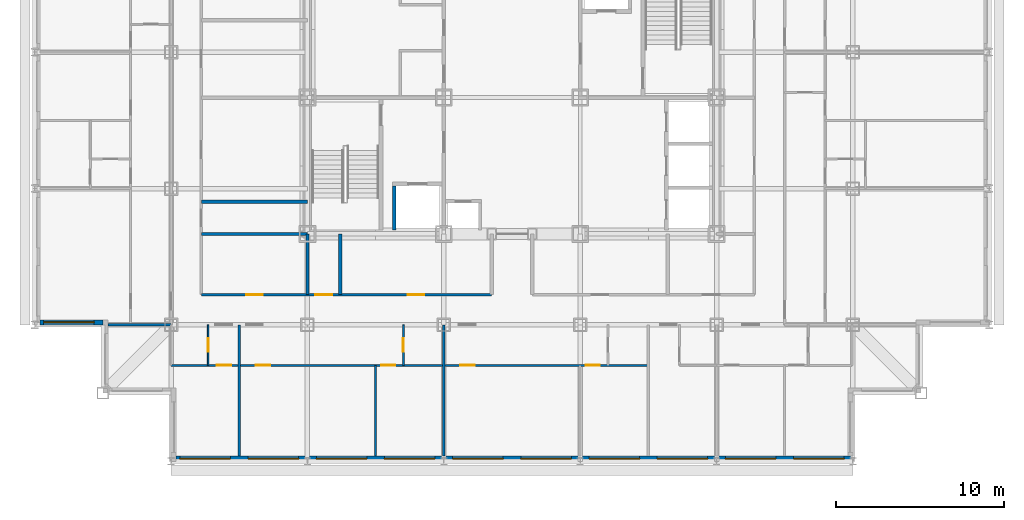
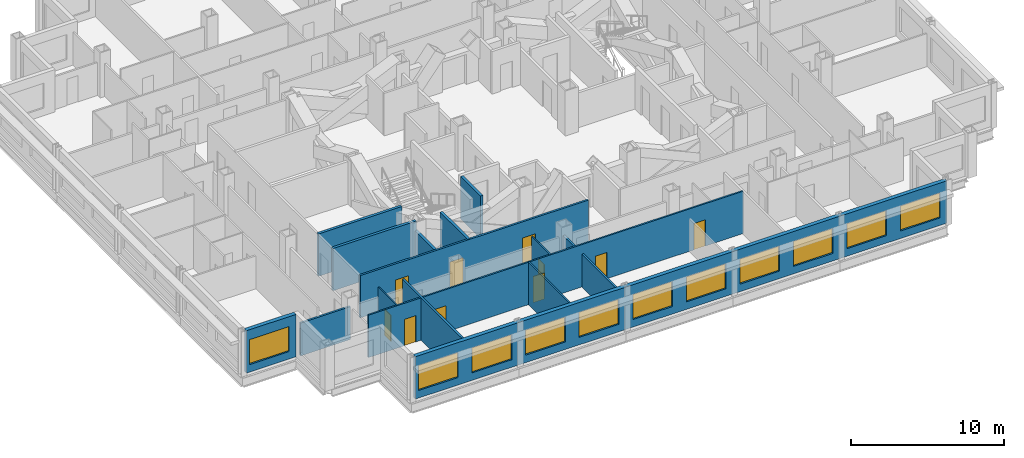
# One storey, part 4 of 12: 15 walls, 11 windows, 10 doors, 21 openings.
"""IFC4 building model written with IfcOpenShell, lengths in metres."""

from ifc_helpers import new_model, si_unit, direction, frame, frame_2d, origin, place, context, subcontext, project, spatial, rectangle, extrude, material, layer, layer_set, type_object, element, fill, save


model = new_model("IFC4")

# Units and contexts
model_context = context("Model", 3, precision=1e-05, world=origin(), true_north=direction((0.0, 1.0)))
body_context = subcontext(model_context, "Body", "Model", "MODEL_VIEW")
ifc_project = project(units=[si_unit("LENGTHUNIT", "METRE"), si_unit("AREAUNIT", "SQUARE_METRE"), si_unit("VOLUMEUNIT", "CUBIC_METRE"), si_unit("PLANEANGLEUNIT", "RADIAN"), si_unit("MASSUNIT", "GRAM", prefix="KILO")], contexts=[model_context])

# Site, building, storey
site_placement = place(None, origin())
site = spatial("IfcSite", under=ifc_project, at=site_placement, CompositionType="ELEMENT")
building_placement = place(site_placement, origin())
building = spatial("IfcBuilding", under=site, at=building_placement, Name="Kopane Lantern Tower", CompositionType="ELEMENT")
storey_placement = place(building_placement, frame((0.0, 0.0, 228.0)))
storey = spatial("IfcBuildingStorey", under=building, at=storey_placement, Name="L59", CompositionType="ELEMENT", Elevation=228.0)

# Wall
ifc_material_1 = material(Name="Gypsum board on steel studs", Category="steel")
ifc_layer_1 = layer(ifc_material_1, 0.1201171875)
ifc_layer_set_1 = layer_set([ifc_layer_1], Name="APARTMENT INTERNAL WALL 120")
wall_type_1 = type_object("IfcWallType", Name="APARTMENT INTERNAL WALL 120", PredefinedType="PARTITIONING", material=ifc_layer_set_1)
wall_1_placement = place(storey_placement, frame((20.25, 16.5, 0.0), z_axis=(0.0, 0.0, 1.0), x_axis=(0.0, -1.0, 0.0)))
element("IfcWall", 1, at=wall_1_placement, inside=storey, type_object=wall_type_1, Name="Apartment Internal Wall 120 L59", PredefinedType="PARTITIONING", context=body_context, shape_type="SweptSolid", body=[
    extrude(rectangle(XDim=5.39990234375, YDim=0.1201171875, at=frame_2d((2.699951171875, 0.0))), origin(), (0.0, 0.0, 1.0), 3.389892578125),
])

# Wall, openings, doors
wall_2_placement = place(storey_placement, frame((8.10009765625, 16.5, 0.0), z_axis=(0.0, 0.0, 1.0), x_axis=(1.0, 0.0, 0.0)))
wall_2 = element("IfcWall", 2, at=wall_2_placement, inside=storey, type_object=wall_type_1, Name="Apartment Internal Wall 120 L59", PredefinedType="PARTITIONING", context=body_context, shape_type="SweptSolid", body=[
    extrude(rectangle(XDim=28.349853515625, YDim=0.1201171875, at=frame_2d((14.1748046875, 0.0))), origin(), (0.0, 0.0, 1.0), 3.389892578125),
])
opening_1_placement = place(wall_2_placement, frame((5.02490234375, 0.0, 0.0)))
opening_1 = element("IfcOpeningElement", 3, at=opening_1_placement, cuts=wall_2, Name="Opening L59-014", PredefinedType="OPENING", context=body_context, shape_type="SweptSolid", body=[
    extrude(rectangle(XDim=0.85009765625, YDim=2.10009765625, at=frame_2d((0.425048828125, 1.050048828125))), frame((0.0, 0.070068359375, 0.0), z_axis=(0.0, -1.0, 0.0), x_axis=(1.0, 0.0, 0.0)), (0.0, 0.0, 1.0), 0.14013671875),
])
opening_2_placement = place(wall_2_placement, frame((12.47509765625, 0.0, 0.0)))
opening_2 = element("IfcOpeningElement", 4, at=opening_2_placement, cuts=wall_2, Name="Opening L59-015", PredefinedType="OPENING", context=body_context, shape_type="SweptSolid", body=[
    extrude(rectangle(XDim=0.85009765625, YDim=2.10009765625, at=frame_2d((0.425048828125, 1.050048828125))), frame((0.0, 0.070068359375, 0.0), z_axis=(0.0, -1.0, 0.0), x_axis=(1.0, 0.0, 0.0)), (0.0, 0.0, 1.0), 0.14013671875),
])
opening_3_placement = place(wall_2_placement, frame((17.175048828125, 0.0, 0.0)))
opening_3 = element("IfcOpeningElement", 5, at=opening_3_placement, cuts=wall_2, Name="Opening L59-018", PredefinedType="OPENING", context=body_context, shape_type="SweptSolid", body=[
    extrude(rectangle(XDim=0.85009765625, YDim=2.10009765625, at=frame_2d((0.425048828125, 1.050048828125))), frame((0.0, 0.070068359375, 0.0), z_axis=(0.0, -1.0, 0.0), x_axis=(1.0, 0.0, 0.0)), (0.0, 0.0, 1.0), 0.14013671875),
])
opening_4_placement = place(wall_2_placement, frame((24.625, 0.0, 0.0)))
opening_4 = element("IfcOpeningElement", 6, at=opening_4_placement, cuts=wall_2, Name="Opening L59-019", PredefinedType="OPENING", context=body_context, shape_type="SweptSolid", body=[
    extrude(rectangle(XDim=0.85009765625, YDim=2.10009765625, at=frame_2d((0.425048828125, 1.050048828125))), frame((0.0, 0.070068359375, 0.0), z_axis=(0.0, -1.0, 0.0), x_axis=(1.0, 0.0, 0.0)), (0.0, 0.0, 1.0), 0.14013671875),
])
opening_5_placement = place(wall_2_placement, frame((2.72509765625, 0.0, 0.0)))
opening_5 = element("IfcOpeningElement", 7, at=opening_5_placement, cuts=wall_2, Name="Opening L59-053", PredefinedType="OPENING", context=body_context, shape_type="SweptSolid", body=[
    extrude(rectangle(XDim=0.85009765625, YDim=2.10009765625, at=frame_2d((0.425048828125, 1.050048828125))), frame((0.0, 0.070068359375, 0.0), z_axis=(0.0, -1.0, 0.0), x_axis=(1.0, 0.0, 0.0)), (0.0, 0.0, 1.0), 0.14013671875),
])
ifc_material_2 = material(Name="Timber door set", Category="wood")
door_type_1 = type_object("IfcDoorType", Name="DOOR D4 850x2100", OperationType="SINGLE_SWING_LEFT", PredefinedType="DOOR", material=ifc_material_2)
door_1_placement = place(opening_1_placement, origin())
door_1 = element("IfcDoor", 8, at=door_1_placement, inside=storey, type_object=door_type_1, Name="Door L59-014", OperationType="SINGLE_SWING_LEFT", OverallHeight=2.10009765625, OverallWidth=0.85009765625, PredefinedType="DOOR", context=body_context, shape_type="SweptSolid", body=[
    extrude(rectangle(XDim=0.85009765625, YDim=2.10009765625, at=frame_2d((0.425048828125, 1.050048828125))), frame((0.0, 0.02490234375, 0.0), z_axis=(0.0, -1.0, 0.0), x_axis=(1.0, 0.0, 0.0)), (0.0, 0.0, 1.0), 0.050048828125),
])
fill(opening_1, door_1)
door_2_placement = place(opening_2_placement, origin())
door_2 = element("IfcDoor", 9, at=door_2_placement, inside=storey, type_object=door_type_1, Name="Door L59-015", OperationType="SINGLE_SWING_RIGHT", OverallHeight=2.10009765625, OverallWidth=0.85009765625, PredefinedType="DOOR", context=body_context, shape_type="SweptSolid", body=[
    extrude(rectangle(XDim=0.85009765625, YDim=2.10009765625, at=frame_2d((0.425048828125, 1.050048828125))), frame((0.0, 0.02490234375, 0.0), z_axis=(0.0, -1.0, 0.0), x_axis=(1.0, 0.0, 0.0)), (0.0, 0.0, 1.0), 0.050048828125),
])
fill(opening_2, door_2)
door_3_placement = place(opening_3_placement, origin())
door_3 = element("IfcDoor", 10, at=door_3_placement, inside=storey, type_object=door_type_1, Name="Door L59-018", OperationType="SINGLE_SWING_RIGHT", OverallHeight=2.10009765625, OverallWidth=0.85009765625, PredefinedType="DOOR", context=body_context, shape_type="SweptSolid", body=[
    extrude(rectangle(XDim=0.85009765625, YDim=2.10009765625, at=frame_2d((0.425048828125, 1.050048828125))), frame((0.0, 0.02490234375, 0.0), z_axis=(0.0, -1.0, 0.0), x_axis=(1.0, 0.0, 0.0)), (0.0, 0.0, 1.0), 0.050048828125),
])
fill(opening_3, door_3)
door_4_placement = place(opening_4_placement, origin())
door_4 = element("IfcDoor", 11, at=door_4_placement, inside=storey, type_object=door_type_1, Name="Door L59-019", OperationType="SINGLE_SWING_RIGHT", OverallHeight=2.10009765625, OverallWidth=0.85009765625, PredefinedType="DOOR", context=body_context, shape_type="SweptSolid", body=[
    extrude(rectangle(XDim=0.85009765625, YDim=2.10009765625, at=frame_2d((0.425048828125, 1.050048828125))), frame((0.0, 0.02490234375, 0.0), z_axis=(0.0, -1.0, 0.0), x_axis=(1.0, 0.0, 0.0)), (0.0, 0.0, 1.0), 0.050048828125),
])
fill(opening_4, door_4)
door_5_placement = place(opening_5_placement, origin())
door_5 = element("IfcDoor", 12, at=door_5_placement, inside=storey, type_object=door_type_1, Name="Door L59-053", OperationType="SINGLE_SWING_LEFT", OverallHeight=2.10009765625, OverallWidth=0.85009765625, PredefinedType="DOOR", context=body_context, shape_type="SweptSolid", body=[
    extrude(rectangle(XDim=0.85009765625, YDim=2.10009765625, at=frame_2d((0.425048828125, 1.050048828125))), frame((0.0, 0.02490234375, 0.0), z_axis=(0.0, -1.0, 0.0), x_axis=(1.0, 0.0, 0.0)), (0.0, 0.0, 1.0), 0.050048828125),
])
fill(opening_5, door_5)

# Wall, opening, door
ifc_material_3 = material(Name="Moisture-resistant board on steel studs", Category="steel")
ifc_layer_2 = layer(ifc_material_3, 0.10009765625)
ifc_layer_set_2 = layer_set([ifc_layer_2], Name="BATHROOM WALL 100")
wall_type_2 = type_object("IfcWallType", Name="BATHROOM WALL 100", PredefinedType="PARTITIONING", material=ifc_layer_set_2)
wall_3_placement = place(storey_placement, frame((21.89990234375, 18.89990234375, 0.0), z_axis=(0.0, 0.0, 1.0), x_axis=(0.0, -1.0, 0.0)))
wall_3 = element("IfcWall", 13, at=wall_3_placement, inside=storey, type_object=wall_type_2, Name="Bathroom Wall 100 L59", PredefinedType="PARTITIONING", context=body_context, shape_type="SweptSolid", body=[
    extrude(rectangle(XDim=2.39990234375, YDim=0.10009765625, at=frame_2d((1.199951171875, 0.0))), origin(), (0.0, 0.0, 1.0), 3.389892578125),
])
opening_6_placement = place(wall_3_placement, frame((0.800048828125, 0.0, 0.0)))
opening_6 = element("IfcOpeningElement", 14, at=opening_6_placement, cuts=wall_3, Name="Opening L59-012", PredefinedType="OPENING", context=body_context, shape_type="SweptSolid", body=[
    extrude(rectangle(XDim=0.800048828125, YDim=2.10009765625, at=frame_2d((0.39990234375, 1.050048828125))), frame((0.0, 0.06005859375, 0.0), z_axis=(0.0, -1.0, 0.0), x_axis=(1.0, 0.0, 0.0)), (0.0, 0.0, 1.0), 0.1201171875),
])
ifc_material_4 = material(Name="Timber door set", Category="wood")
door_type_2 = type_object("IfcDoorType", Name="DOOR D2 800x2100", OperationType="SINGLE_SWING_LEFT", PredefinedType="DOOR", material=ifc_material_4)
door_6_placement = place(opening_6_placement, origin())
door_6 = element("IfcDoor", 15, at=door_6_placement, inside=storey, type_object=door_type_2, Name="Door L59-012", OperationType="SINGLE_SWING_LEFT", OverallHeight=2.10009765625, OverallWidth=0.800048828125, PredefinedType="DOOR", context=body_context, shape_type="SweptSolid", body=[
    extrude(rectangle(XDim=0.800048828125, YDim=2.10009765625, at=frame_2d((0.39990234375, 1.050048828125))), frame((0.0, 0.02490234375, 0.0), z_axis=(0.0, -1.0, 0.0), x_axis=(1.0, 0.0, 0.0)), (0.0, 0.0, 1.0), 0.050048828125),
])
fill(opening_6, door_6)

wall_4_placement = place(storey_placement, frame((10.300048828125, 18.89990234375, 0.0), z_axis=(0.0, 0.0, 1.0), x_axis=(0.0, -1.0, 0.0)))
wall_4 = element("IfcWall", 16, at=wall_4_placement, inside=storey, type_object=wall_type_2, Name="Bathroom Wall 100 L59", PredefinedType="PARTITIONING", context=body_context, shape_type="SweptSolid", body=[
    extrude(rectangle(XDim=2.39990234375, YDim=0.10009765625, at=frame_2d((1.199951171875, 0.0))), origin(), (0.0, 0.0, 1.0), 3.389892578125),
])
opening_7_placement = place(wall_4_placement, frame((0.800048828125, 0.0, 0.0)))
opening_7 = element("IfcOpeningElement", 17, at=opening_7_placement, cuts=wall_4, Name="Opening L59-051", PredefinedType="OPENING", context=body_context, shape_type="SweptSolid", body=[
    extrude(rectangle(XDim=0.800048828125, YDim=2.10009765625, at=frame_2d((0.39990234375, 1.050048828125))), frame((0.0, 0.06005859375, 0.0), z_axis=(0.0, -1.0, 0.0), x_axis=(1.0, 0.0, 0.0)), (0.0, 0.0, 1.0), 0.1201171875),
])
door_7_placement = place(opening_7_placement, origin())
door_7 = element("IfcDoor", 18, at=door_7_placement, inside=storey, type_object=door_type_2, Name="Door L59-051", OperationType="SINGLE_SWING_RIGHT", OverallHeight=2.10009765625, OverallWidth=0.800048828125, PredefinedType="DOOR", context=body_context, shape_type="SweptSolid", body=[
    extrude(rectangle(XDim=0.800048828125, YDim=2.10009765625, at=frame_2d((0.39990234375, 1.050048828125))), frame((0.0, 0.02490234375, 0.0), z_axis=(0.0, -1.0, 0.0), x_axis=(1.0, 0.0, 0.0)), (0.0, 0.0, 1.0), 0.050048828125),
])
fill(opening_7, door_7)

# Wall, openings, doors
ifc_material_5 = material(Name="Gypsum board on steel studs", Category="steel")
ifc_layer_3 = layer(ifc_material_5, 0.14990234375)
ifc_layer_set_3 = layer_set([ifc_layer_3], Name="CORRIDOR WALL 150 EI 60")
wall_type_3 = type_object("IfcWallType", Name="CORRIDOR WALL 150 EI 60", PredefinedType="PARTITIONING", material=ifc_layer_set_3)
wall_5_placement = place(storey_placement, frame((9.89990234375, 20.699951171875, 0.0), z_axis=(0.0, 0.0, 1.0), x_axis=(1.0, 0.0, 0.0)))
wall_5 = element("IfcWall", 19, at=wall_5_placement, inside=storey, type_object=wall_type_3, Name="Corridor Wall 150 Ei 60 L59", PredefinedType="PARTITIONING", context=body_context, shape_type="SweptSolid", body=[
    extrude(rectangle(XDim=17.239990234375, YDim=0.14990234375, at=frame_2d((8.6201171875, 0.0))), origin(), (0.0, 0.0, 1.0), 3.389892578125),
])
opening_8_placement = place(wall_5_placement, frame((2.64990234375, 0.0, 0.0)))
opening_8 = element("IfcOpeningElement", 20, at=opening_8_placement, cuts=wall_5, Name="Opening L59-007", PredefinedType="OPENING", context=body_context, shape_type="SweptSolid", body=[
    extrude(rectangle(XDim=1.0, YDim=2.10009765625, at=frame_2d((0.5, 1.050048828125))), frame((0.0, 0.0849609375, 0.0), z_axis=(0.0, -1.0, 0.0), x_axis=(1.0, 0.0, 0.0)), (0.0, 0.0, 1.0), 0.169921875),
])
opening_9_placement = place(wall_5_placement, frame((6.772216796875, 0.0, 0.0)))
opening_9 = element("IfcOpeningElement", 21, at=opening_9_placement, cuts=wall_5, Name="Opening L59-008", PredefinedType="OPENING", context=body_context, shape_type="SweptSolid", body=[
    extrude(rectangle(XDim=1.0, YDim=2.10009765625, at=frame_2d((0.5, 1.050048828125))), frame((0.0, 0.0849609375, 0.0), z_axis=(0.0, -1.0, 0.0), x_axis=(1.0, 0.0, 0.0)), (0.0, 0.0, 1.0), 0.169921875),
])
opening_10_placement = place(wall_5_placement, frame((12.247314453125, 0.0, 0.0)))
opening_10 = element("IfcOpeningElement", 22, at=opening_10_placement, cuts=wall_5, Name="Opening L59-009", PredefinedType="OPENING", context=body_context, shape_type="SweptSolid", body=[
    extrude(rectangle(XDim=1.0, YDim=2.10009765625, at=frame_2d((0.5, 1.050048828125))), frame((0.0, 0.0849609375, 0.0), z_axis=(0.0, -1.0, 0.0), x_axis=(1.0, 0.0, 0.0)), (0.0, 0.0, 1.0), 0.169921875),
])
ifc_material_6 = material(Name="Steel door set", Category="steel")
door_type_3 = type_object("IfcDoorType", Name="DOOR D5 1000x2100 FD60", OperationType="SINGLE_SWING_LEFT", PredefinedType="DOOR", material=ifc_material_6)
door_8_placement = place(opening_8_placement, origin())
door_8 = element("IfcDoor", 23, at=door_8_placement, inside=storey, type_object=door_type_3, Name="Door L59-007", OperationType="SINGLE_SWING_LEFT", OverallHeight=2.10009765625, OverallWidth=1.0, PredefinedType="DOOR", context=body_context, shape_type="SweptSolid", body=[
    extrude(rectangle(XDim=1.0, YDim=2.10009765625, at=frame_2d((0.5, 1.050048828125))), frame((0.0, 0.02490234375, 0.0), z_axis=(0.0, -1.0, 0.0), x_axis=(1.0, 0.0, 0.0)), (0.0, 0.0, 1.0), 0.050048828125),
])
fill(opening_8, door_8)
door_9_placement = place(opening_9_placement, origin())
door_9 = element("IfcDoor", 24, at=door_9_placement, inside=storey, type_object=door_type_3, Name="Door L59-008", OperationType="SINGLE_SWING_RIGHT", OverallHeight=2.10009765625, OverallWidth=1.0, PredefinedType="DOOR", context=body_context, shape_type="SweptSolid", body=[
    extrude(rectangle(XDim=1.0, YDim=2.10009765625, at=frame_2d((0.5, 1.050048828125))), frame((0.0, 0.02490234375, 0.0), z_axis=(0.0, -1.0, 0.0), x_axis=(1.0, 0.0, 0.0)), (0.0, 0.0, 1.0), 0.050048828125),
])
fill(opening_9, door_9)
door_10_placement = place(opening_10_placement, origin())
door_10 = element("IfcDoor", 25, at=door_10_placement, inside=storey, type_object=door_type_3, Name="Door L59-009", OperationType="SINGLE_SWING_LEFT", OverallHeight=2.10009765625, OverallWidth=1.0, PredefinedType="DOOR", context=body_context, shape_type="SweptSolid", body=[
    extrude(rectangle(XDim=1.0, YDim=2.10009765625, at=frame_2d((0.5, 1.050048828125))), frame((0.0, 0.02490234375, 0.0), z_axis=(0.0, -1.0, 0.0), x_axis=(1.0, 0.0, 0.0)), (0.0, 0.0, 1.0), 0.050048828125),
])
fill(opening_10, door_10)

# Walls
ifc_material_7 = material(Name="Gypsum board on steel studs", Category="steel")
ifc_layer_4 = layer(ifc_material_7, 0.14990234375)
ifc_layer_set_4 = layer_set([ifc_layer_4], Name="DEMISING WALL 150 EI 60")
wall_type_4 = type_object("IfcWallType", Name="DEMISING WALL 150 EI 60", PredefinedType="PARTITIONING", material=ifc_layer_set_4)
wall_6_placement = place(storey_placement, frame((24.300048828125, 18.89990234375, 0.0), z_axis=(0.0, 0.0, 1.0), x_axis=(0.0, -1.0, 0.0)))
element("IfcWall", 26, at=wall_6_placement, inside=storey, type_object=wall_type_4, Name="Demising Wall 150 Ei 60 L59", PredefinedType="PARTITIONING", context=body_context, shape_type="SweptSolid", body=[
    extrude(rectangle(XDim=7.7998046875, YDim=0.14990234375, at=frame_2d((3.89990234375, 0.0))), origin(), (0.0, 0.0, 1.0), 2.627685546875),
])
wall_7_placement = place(storey_placement, frame((4.35009765625, 18.89990234375, 0.0), z_axis=(0.0, 0.0, 1.0), x_axis=(1.0, 0.0, 0.0)))
element("IfcWall", 27, at=wall_7_placement, inside=storey, type_object=wall_type_4, Name="Demising Wall 150 Ei 60 L59", PredefinedType="PARTITIONING", context=body_context, shape_type="SweptSolid", body=[
    extrude(rectangle(XDim=3.75, YDim=0.14990234375, at=frame_2d((1.875, 0.0))), origin(), (0.0, 0.0, 1.0), 2.627685546875),
])
wall_8_placement = place(storey_placement, frame((12.14990234375, 18.89990234375, 0.0), z_axis=(0.0, 0.0, 1.0), x_axis=(0.0, -1.0, 0.0)))
element("IfcWall", 28, at=wall_8_placement, inside=storey, type_object=wall_type_4, Name="Demising Wall 150 Ei 60 L59", PredefinedType="PARTITIONING", context=body_context, shape_type="SweptSolid", body=[
    extrude(rectangle(XDim=7.7998046875, YDim=0.14990234375, at=frame_2d((3.89990234375, 0.0))), origin(), (0.0, 0.0, 1.0), 3.389892578125),
])

# Wall, openings, windows
ifc_material_8 = material(Name="Terracotta rainscreen on light steel framing", Category="masonry")
ifc_layer_5 = layer(ifc_material_8, 0.300048828125)
ifc_layer_set_5 = layer_set([ifc_layer_5], Name="EXTERNAL WALL EW1 300 TERRACOTTA")
wall_type_5 = type_object("IfcWallType", Name="EXTERNAL WALL EW1 300 TERRACOTTA", PredefinedType="SOLIDWALL", material=ifc_layer_set_5)
wall_9_placement = place(storey_placement, frame((8.39990234375, 10.949951171875, 0.0), z_axis=(0.0, 0.0, 1.0), x_axis=(1.0, 0.0, 0.0)))
wall_9 = element("IfcWall", 29, at=wall_9_placement, inside=storey, type_object=wall_type_5, Name="External wall S L59", PredefinedType="SOLIDWALL", context=body_context, shape_type="SweptSolid", body=[
    extrude(rectangle(XDim=40.2001953125, YDim=0.300048828125, at=frame_2d((20.10009765625, 0.0))), origin(), (0.0, 0.0, 1.0), 3.389892578125),
])
opening_11_placement = place(wall_9_placement, frame((0.22509765625, 0.0, 0.60009765625)))
opening_11 = element("IfcOpeningElement", 30, at=opening_11_placement, cuts=wall_9, Name="Opening WR300200", PredefinedType="OPENING", context=body_context, shape_type="SweptSolid", body=[
    extrude(rectangle(XDim=3.0, YDim=2.0, at=frame_2d((1.5, 1.0))), frame((0.0, 0.159912109375, 0.0), z_axis=(0.0, -1.0, 0.0), x_axis=(1.0, 0.0, 0.0)), (0.0, 0.0, 1.0), 0.320068359375),
])
opening_12_placement = place(wall_9_placement, frame((4.27490234375, 0.0, 0.60009765625)))
opening_12 = element("IfcOpeningElement", 31, at=opening_12_placement, cuts=wall_9, Name="Opening WR300200", PredefinedType="OPENING", context=body_context, shape_type="SweptSolid", body=[
    extrude(rectangle(XDim=3.0, YDim=2.0, at=frame_2d((1.5, 1.0))), frame((0.0, 0.159912109375, 0.0), z_axis=(0.0, -1.0, 0.0), x_axis=(1.0, 0.0, 0.0)), (0.0, 0.0, 1.0), 0.320068359375),
])
opening_13_placement = place(wall_9_placement, frame((8.324951171875, 0.0, 0.60009765625)))
opening_13 = element("IfcOpeningElement", 32, at=opening_13_placement, cuts=wall_9, Name="Opening WR300200", PredefinedType="OPENING", context=body_context, shape_type="SweptSolid", body=[
    extrude(rectangle(XDim=3.0, YDim=2.0, at=frame_2d((1.5, 1.0))), frame((0.0, 0.159912109375, 0.0), z_axis=(0.0, -1.0, 0.0), x_axis=(1.0, 0.0, 0.0)), (0.0, 0.0, 1.0), 0.320068359375),
])
opening_14_placement = place(wall_9_placement, frame((12.375, 0.0, 0.60009765625)))
opening_14 = element("IfcOpeningElement", 33, at=opening_14_placement, cuts=wall_9, Name="Opening WR300200", PredefinedType="OPENING", context=body_context, shape_type="SweptSolid", body=[
    extrude(rectangle(XDim=3.0, YDim=2.0, at=frame_2d((1.5, 1.0))), frame((0.0, 0.159912109375, 0.0), z_axis=(0.0, -1.0, 0.0), x_axis=(1.0, 0.0, 0.0)), (0.0, 0.0, 1.0), 0.320068359375),
])
opening_15_placement = place(wall_9_placement, frame((16.425048828125, 0.0, 0.60009765625)))
opening_15 = element("IfcOpeningElement", 34, at=opening_15_placement, cuts=wall_9, Name="Opening WR300200", PredefinedType="OPENING", context=body_context, shape_type="SweptSolid", body=[
    extrude(rectangle(XDim=3.0, YDim=2.0, at=frame_2d((1.5, 1.0))), frame((0.0, 0.159912109375, 0.0), z_axis=(0.0, -1.0, 0.0), x_axis=(1.0, 0.0, 0.0)), (0.0, 0.0, 1.0), 0.320068359375),
])
opening_16_placement = place(wall_9_placement, frame((20.47509765625, 0.0, 0.60009765625)))
opening_16 = element("IfcOpeningElement", 35, at=opening_16_placement, cuts=wall_9, Name="Opening WR300200", PredefinedType="OPENING", context=body_context, shape_type="SweptSolid", body=[
    extrude(rectangle(XDim=3.0, YDim=2.0, at=frame_2d((1.5, 1.0))), frame((0.0, 0.159912109375, 0.0), z_axis=(0.0, -1.0, 0.0), x_axis=(1.0, 0.0, 0.0)), (0.0, 0.0, 1.0), 0.320068359375),
])
opening_17_placement = place(wall_9_placement, frame((24.52490234375, 0.0, 0.60009765625)))
opening_17 = element("IfcOpeningElement", 36, at=opening_17_placement, cuts=wall_9, Name="Opening WR300200", PredefinedType="OPENING", context=body_context, shape_type="SweptSolid", body=[
    extrude(rectangle(XDim=3.0, YDim=2.0, at=frame_2d((1.5, 1.0))), frame((0.0, 0.159912109375, 0.0), z_axis=(0.0, -1.0, 0.0), x_axis=(1.0, 0.0, 0.0)), (0.0, 0.0, 1.0), 0.320068359375),
])
opening_18_placement = place(wall_9_placement, frame((28.574951171875, 0.0, 0.60009765625)))
opening_18 = element("IfcOpeningElement", 37, at=opening_18_placement, cuts=wall_9, Name="Opening WR300200", PredefinedType="OPENING", context=body_context, shape_type="SweptSolid", body=[
    extrude(rectangle(XDim=3.0, YDim=2.0, at=frame_2d((1.5, 1.0))), frame((0.0, 0.159912109375, 0.0), z_axis=(0.0, -1.0, 0.0), x_axis=(1.0, 0.0, 0.0)), (0.0, 0.0, 1.0), 0.320068359375),
])
opening_19_placement = place(wall_9_placement, frame((32.625, 0.0, 0.60009765625)))
opening_19 = element("IfcOpeningElement", 38, at=opening_19_placement, cuts=wall_9, Name="Opening WR300200", PredefinedType="OPENING", context=body_context, shape_type="SweptSolid", body=[
    extrude(rectangle(XDim=3.0, YDim=2.0, at=frame_2d((1.5, 1.0))), frame((0.0, 0.159912109375, 0.0), z_axis=(0.0, -1.0, 0.0), x_axis=(1.0, 0.0, 0.0)), (0.0, 0.0, 1.0), 0.320068359375),
])
opening_20_placement = place(wall_9_placement, frame((36.675048828125, 0.0, 0.60009765625)))
opening_20 = element("IfcOpeningElement", 39, at=opening_20_placement, cuts=wall_9, Name="Opening WR300200", PredefinedType="OPENING", context=body_context, shape_type="SweptSolid", body=[
    extrude(rectangle(XDim=3.0, YDim=2.0, at=frame_2d((1.5, 1.0))), frame((0.0, 0.159912109375, 0.0), z_axis=(0.0, -1.0, 0.0), x_axis=(1.0, 0.0, 0.0)), (0.0, 0.0, 1.0), 0.320068359375),
])
ifc_material_9 = material(Name="Aluminium and clear glass", Category="aluminium")
window_type = type_object("IfcWindowType", Name="RIBBON WINDOW WR300200 3000x2000", PartitioningType="SINGLE_PANEL", PredefinedType="WINDOW", material=ifc_material_9)
window_1_placement = place(opening_11_placement, origin())
window_1 = element("IfcWindow", 40, at=window_1_placement, inside=storey, type_object=window_type, Name="Window S L59", OverallHeight=2.0, OverallWidth=3.0, PartitioningType="SINGLE_PANEL", PredefinedType="WINDOW", context=body_context, shape_type="SweptSolid", body=[
    extrude(rectangle(XDim=3.0, YDim=2.0, at=frame_2d((1.5, 1.0))), frame((0.0, 0.030029296875, 0.0), z_axis=(0.0, -1.0, 0.0), x_axis=(1.0, 0.0, 0.0)), (0.0, 0.0, 1.0), 0.06005859375),
])
fill(opening_11, window_1)
window_2_placement = place(opening_12_placement, origin())
window_2 = element("IfcWindow", 41, at=window_2_placement, inside=storey, type_object=window_type, Name="Window S L59", OverallHeight=2.0, OverallWidth=3.0, PartitioningType="SINGLE_PANEL", PredefinedType="WINDOW", context=body_context, shape_type="SweptSolid", body=[
    extrude(rectangle(XDim=3.0, YDim=2.0, at=frame_2d((1.5, 1.0))), frame((0.0, 0.030029296875, 0.0), z_axis=(0.0, -1.0, 0.0), x_axis=(1.0, 0.0, 0.0)), (0.0, 0.0, 1.0), 0.06005859375),
])
fill(opening_12, window_2)
window_3_placement = place(opening_13_placement, origin())
window_3 = element("IfcWindow", 42, at=window_3_placement, inside=storey, type_object=window_type, Name="Window S L59", OverallHeight=2.0, OverallWidth=3.0, PartitioningType="SINGLE_PANEL", PredefinedType="WINDOW", context=body_context, shape_type="SweptSolid", body=[
    extrude(rectangle(XDim=3.0, YDim=2.0, at=frame_2d((1.5, 1.0))), frame((0.0, 0.030029296875, 0.0), z_axis=(0.0, -1.0, 0.0), x_axis=(1.0, 0.0, 0.0)), (0.0, 0.0, 1.0), 0.06005859375),
])
fill(opening_13, window_3)
window_4_placement = place(opening_14_placement, origin())
window_4 = element("IfcWindow", 43, at=window_4_placement, inside=storey, type_object=window_type, Name="Window S L59", OverallHeight=2.0, OverallWidth=3.0, PartitioningType="SINGLE_PANEL", PredefinedType="WINDOW", context=body_context, shape_type="SweptSolid", body=[
    extrude(rectangle(XDim=3.0, YDim=2.0, at=frame_2d((1.5, 1.0))), frame((0.0, 0.030029296875, 0.0), z_axis=(0.0, -1.0, 0.0), x_axis=(1.0, 0.0, 0.0)), (0.0, 0.0, 1.0), 0.06005859375),
])
fill(opening_14, window_4)
window_5_placement = place(opening_15_placement, origin())
window_5 = element("IfcWindow", 44, at=window_5_placement, inside=storey, type_object=window_type, Name="Window S L59", OverallHeight=2.0, OverallWidth=3.0, PartitioningType="SINGLE_PANEL", PredefinedType="WINDOW", context=body_context, shape_type="SweptSolid", body=[
    extrude(rectangle(XDim=3.0, YDim=2.0, at=frame_2d((1.5, 1.0))), frame((0.0, 0.030029296875, 0.0), z_axis=(0.0, -1.0, 0.0), x_axis=(1.0, 0.0, 0.0)), (0.0, 0.0, 1.0), 0.06005859375),
])
fill(opening_15, window_5)
window_6_placement = place(opening_16_placement, origin())
window_6 = element("IfcWindow", 45, at=window_6_placement, inside=storey, type_object=window_type, Name="Window S L59", OverallHeight=2.0, OverallWidth=3.0, PartitioningType="SINGLE_PANEL", PredefinedType="WINDOW", context=body_context, shape_type="SweptSolid", body=[
    extrude(rectangle(XDim=3.0, YDim=2.0, at=frame_2d((1.5, 1.0))), frame((0.0, 0.030029296875, 0.0), z_axis=(0.0, -1.0, 0.0), x_axis=(1.0, 0.0, 0.0)), (0.0, 0.0, 1.0), 0.06005859375),
])
fill(opening_16, window_6)
window_7_placement = place(opening_17_placement, origin())
window_7 = element("IfcWindow", 46, at=window_7_placement, inside=storey, type_object=window_type, Name="Window S L59", OverallHeight=2.0, OverallWidth=3.0, PartitioningType="SINGLE_PANEL", PredefinedType="WINDOW", context=body_context, shape_type="SweptSolid", body=[
    extrude(rectangle(XDim=3.0, YDim=2.0, at=frame_2d((1.5, 1.0))), frame((0.0, 0.030029296875, 0.0), z_axis=(0.0, -1.0, 0.0), x_axis=(1.0, 0.0, 0.0)), (0.0, 0.0, 1.0), 0.06005859375),
])
fill(opening_17, window_7)
window_8_placement = place(opening_18_placement, origin())
window_8 = element("IfcWindow", 47, at=window_8_placement, inside=storey, type_object=window_type, Name="Window S L59", OverallHeight=2.0, OverallWidth=3.0, PartitioningType="SINGLE_PANEL", PredefinedType="WINDOW", context=body_context, shape_type="SweptSolid", body=[
    extrude(rectangle(XDim=3.0, YDim=2.0, at=frame_2d((1.5, 1.0))), frame((0.0, 0.030029296875, 0.0), z_axis=(0.0, -1.0, 0.0), x_axis=(1.0, 0.0, 0.0)), (0.0, 0.0, 1.0), 0.06005859375),
])
fill(opening_18, window_8)
window_9_placement = place(opening_19_placement, origin())
window_9 = element("IfcWindow", 48, at=window_9_placement, inside=storey, type_object=window_type, Name="Window S L59", OverallHeight=2.0, OverallWidth=3.0, PartitioningType="SINGLE_PANEL", PredefinedType="WINDOW", context=body_context, shape_type="SweptSolid", body=[
    extrude(rectangle(XDim=3.0, YDim=2.0, at=frame_2d((1.5, 1.0))), frame((0.0, 0.030029296875, 0.0), z_axis=(0.0, -1.0, 0.0), x_axis=(1.0, 0.0, 0.0)), (0.0, 0.0, 1.0), 0.06005859375),
])
fill(opening_19, window_9)
window_10_placement = place(opening_20_placement, origin())
window_10 = element("IfcWindow", 49, at=window_10_placement, inside=storey, type_object=window_type, Name="Window S L59", OverallHeight=2.0, OverallWidth=3.0, PartitioningType="SINGLE_PANEL", PredefinedType="WINDOW", context=body_context, shape_type="SweptSolid", body=[
    extrude(rectangle(XDim=3.0, YDim=2.0, at=frame_2d((1.5, 1.0))), frame((0.0, 0.030029296875, 0.0), z_axis=(0.0, -1.0, 0.0), x_axis=(1.0, 0.0, 0.0)), (0.0, 0.0, 1.0), 0.06005859375),
])
fill(opening_20, window_10)

# Wall, opening, window
wall_10_placement = place(storey_placement, frame((0.300048828125, 19.050048828125, 0.0), z_axis=(0.0, 0.0, 1.0), x_axis=(1.0, 0.0, 0.0)))
wall_10 = element("IfcWall", 50, at=wall_10_placement, inside=storey, type_object=wall_type_5, Name="External wall S L59", PredefinedType="SOLIDWALL", context=body_context, shape_type="SweptSolid", body=[
    extrude(rectangle(XDim=3.75, YDim=0.300048828125, at=frame_2d((1.875, 0.0))), origin(), (0.0, 0.0, 1.0), 3.389892578125),
])
opening_21_placement = place(wall_10_placement, frame((0.22509765625, 0.0, 0.60009765625)))
opening_21 = element("IfcOpeningElement", 51, at=opening_21_placement, cuts=wall_10, Name="Opening WR300200", PredefinedType="OPENING", context=body_context, shape_type="SweptSolid", body=[
    extrude(rectangle(XDim=3.0, YDim=2.0, at=frame_2d((1.5, 1.0))), frame((0.0, 0.159912109375, 0.0), z_axis=(0.0, -1.0, 0.0), x_axis=(1.0, 0.0, 0.0)), (0.0, 0.0, 1.0), 0.320068359375),
])
window_11_placement = place(opening_21_placement, origin())
window_11 = element("IfcWindow", 52, at=window_11_placement, inside=storey, type_object=window_type, Name="Window S L59", OverallHeight=2.0, OverallWidth=3.0, PartitioningType="SINGLE_PANEL", PredefinedType="WINDOW", context=body_context, shape_type="SweptSolid", body=[
    extrude(rectangle(XDim=3.0, YDim=2.0, at=frame_2d((1.5, 1.0))), frame((0.0, 0.030029296875, 0.0), z_axis=(0.0, -1.0, 0.0), x_axis=(1.0, 0.0, 0.0)), (0.0, 0.0, 1.0), 0.06005859375),
])
fill(opening_21, window_11)

# Walls
ifc_material_10 = material(Name="Concrete masonry", Category="masonry")
ifc_layer_6 = layer(ifc_material_10, 0.199951171875)
ifc_layer_set_6 = layer_set([ifc_layer_6], Name="PLANT ROOM WALL 200 EI 120")
wall_type_6 = type_object("IfcWallType", Name="PLANT ROOM WALL 200 EI 120", PredefinedType="SOLIDWALL", material=ifc_layer_set_6)
wall_11_placement = place(storey_placement, frame((9.89990234375, 26.204833984375, 0.0), z_axis=(0.0, 0.0, 1.0), x_axis=(1.0, 0.0, 0.0)))
element("IfcWall", 53, at=wall_11_placement, inside=storey, type_object=wall_type_6, Name="Plant Room Wall 200 Ei 120 L59", PredefinedType="SOLIDWALL", context=body_context, shape_type="SweptSolid", body=[
    extrude(rectangle(XDim=6.300048828125, YDim=0.199951171875, at=frame_2d((3.14990234375, 0.0))), origin(), (0.0, 0.0, 1.0), 3.389892578125),
])
wall_12_placement = place(storey_placement, frame((16.199951171875, 20.699951171875, 0.0), z_axis=(0.0, 0.0, 1.0), x_axis=(0.0, 1.0, 0.0)))
element("IfcWall", 54, at=wall_12_placement, inside=storey, type_object=wall_type_6, Name="Plant Room Wall 200 Ei 120 L59", PredefinedType="SOLIDWALL", context=body_context, shape_type="SweptSolid", body=[
    extrude(rectangle(XDim=3.60009765625, YDim=0.199951171875, at=frame_2d((1.800048828125, 0.0))), origin(), (0.0, 0.0, 1.0), 2.627685546875),
])
wall_13_placement = place(storey_placement, frame((18.144287109375, 20.699951171875, 0.0), z_axis=(0.0, 0.0, 1.0), x_axis=(0.0, 1.0, 0.0)))
element("IfcWall", 55, at=wall_13_placement, inside=storey, type_object=wall_type_6, Name="Plant Room Wall 200 Ei 120 L59", PredefinedType="SOLIDWALL", context=body_context, shape_type="SweptSolid", body=[
    extrude(rectangle(XDim=3.60009765625, YDim=0.199951171875, at=frame_2d((1.800048828125, 0.0))), origin(), (0.0, 0.0, 1.0), 3.389892578125),
])
wall_14_placement = place(storey_placement, frame((9.89990234375, 24.300048828125, 0.0), z_axis=(0.0, 0.0, 1.0), x_axis=(1.0, 0.0, 0.0)))
element("IfcWall", 56, at=wall_14_placement, inside=storey, type_object=wall_type_6, Name="Plant Room Wall 200 Ei 120 L59", PredefinedType="SOLIDWALL", context=body_context, shape_type="SweptSolid", body=[
    extrude(rectangle(XDim=6.300048828125, YDim=0.199951171875, at=frame_2d((3.14990234375, 0.0))), origin(), (0.0, 0.0, 1.0), 3.389892578125),
])
ifc_material_11 = material(Name="Gypsum shaft wall EI 120", Category="gypsum")
ifc_layer_7 = layer(ifc_material_11, 0.199951171875)
ifc_layer_set_7 = layer_set([ifc_layer_7], Name="SHAFT WALL 200 EI 120")
wall_type_7 = type_object("IfcWallType", Name="SHAFT WALL 200 EI 120", PredefinedType="SOLIDWALL", material=ifc_layer_set_7)
wall_15_placement = place(storey_placement, frame((21.35009765625, 24.550048828125, 0.0), z_axis=(0.0, 0.0, 1.0), x_axis=(0.0, 1.0, 0.0)))
element("IfcWall", 57, at=wall_15_placement, inside=storey, type_object=wall_type_7, Name="Core shaft wall L59 XLF1", PredefinedType="SOLIDWALL", context=body_context, shape_type="SweptSolid", body=[
    extrude(rectangle(XDim=2.599853515625, YDim=0.199951171875, at=frame_2d((1.2998046875, 0.0))), origin(), (0.0, 0.0, 1.0), 3.389892578125),
])

save(model, "model.ifc")
